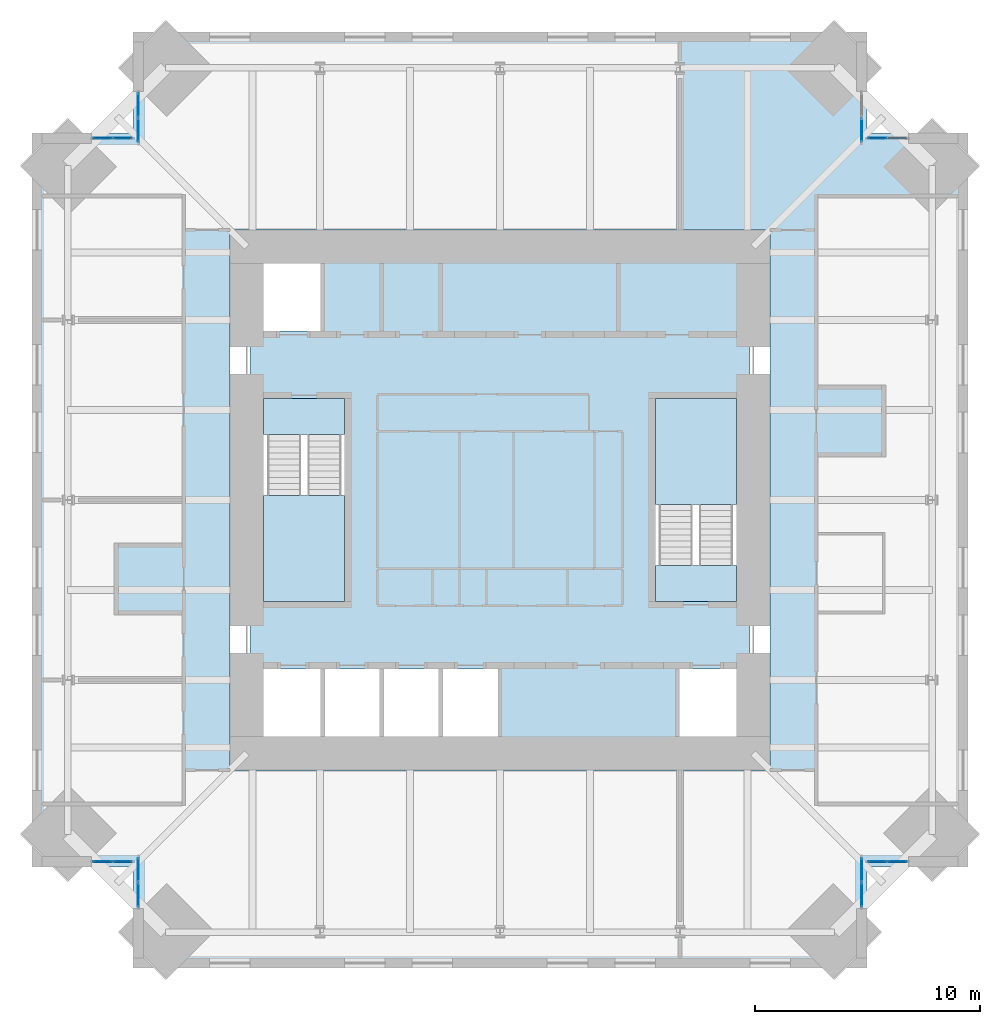
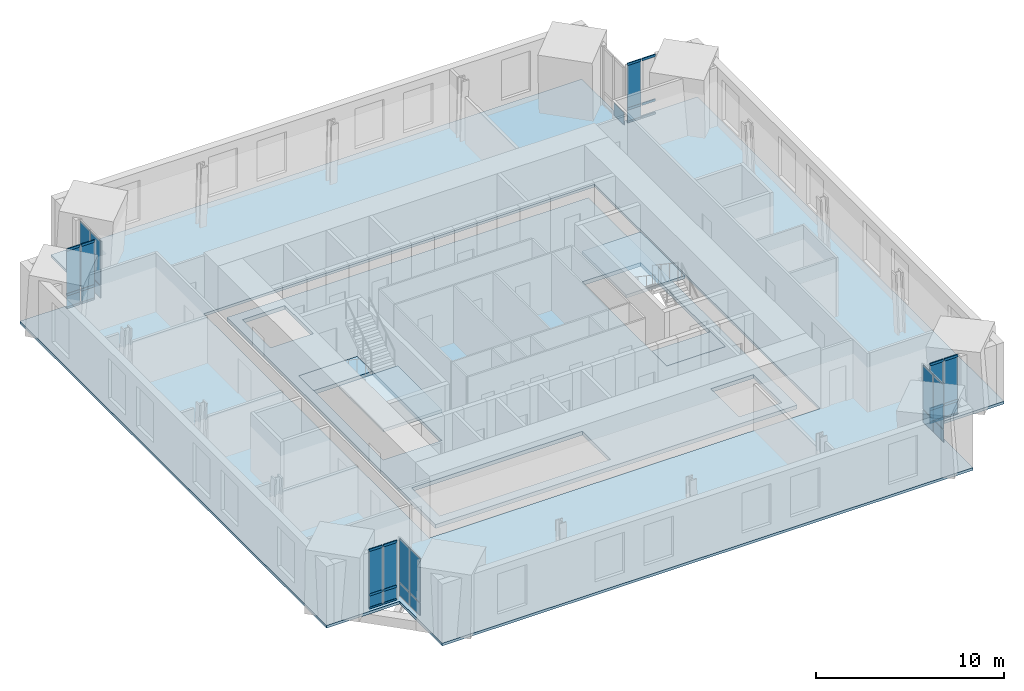
# One storey, part 9 of 15: 27 plates, 24 members, 6 slabs, 10 elements without a shape of their own.
"""IFC4 building model written with IfcOpenShell, lengths in metres."""

from ifc_helpers import new_model, si_unit, direction, frame, origin, origin_2d, place, context, subcontext, project, spatial, polyline, rectangle, hollow_rectangle, outline, extrude, material, layer, layer_set, material_profile, profile_set, type_object, element, aggregate, save


model = new_model("IFC4")

# Units and contexts
model_context = context("Model", 3, precision=1e-05, world=origin(), true_north=direction((0.0, 1.0)))
body_context = subcontext(model_context, "Body", "Model", "MODEL_VIEW")
ifc_project = project(units=[si_unit("LENGTHUNIT", "METRE"), si_unit("AREAUNIT", "SQUARE_METRE"), si_unit("VOLUMEUNIT", "CUBIC_METRE"), si_unit("PLANEANGLEUNIT", "RADIAN"), si_unit("MASSUNIT", "GRAM", prefix="KILO")], contexts=[model_context])

# Site, building, storey
site_placement = place(None, origin())
site = spatial("IfcSite", under=ifc_project, at=site_placement, CompositionType="ELEMENT")
building_placement = place(site_placement, origin())
building = spatial("IfcBuilding", under=site, at=building_placement, Name="Peilmerk Tower", CompositionType="ELEMENT")
storey_placement = place(building_placement, frame((0.0, 0.0, 289.800048828125)))
storey = spatial("IfcBuildingStorey", under=building, at=storey_placement, Name="L65", CompositionType="ELEMENT", Elevation=289.800048828125)

# Curtain wall, members
ifc_material_1 = material(Name="Aluminium stick curtain wall", Category="aluminium")
curtain_wall_type = type_object("IfcCurtainWallType", Name="CW4 stick curtain wall, 2250 module", PredefinedType="NOTDEFINED", material=ifc_material_1)
curtain_wall_1_placement = place(storey_placement, origin())
curtain_wall_1 = element("IfcCurtainWall", 1, at=curtain_wall_1_placement, inside=storey, type_object=curtain_wall_type, Name="Curtain wall CW4 NEB L65", PredefinedType="NOTDEFINED")
ifc_material_2 = material(Name="Aluminium EN AW-6063 T6", Category="aluminium")
ifc_material_profile = material_profile(ifc_material_2, hollow_rectangle(XDim=0.06494140625, YDim=0.14990234375, WallThickness=0.0029296875, at=origin_2d()), Name="AL 150x65x3")
ifc_profile_set = profile_set([ifc_material_profile], Name="Aluminium EN AW-6063 T6")
member_type = type_object("IfcMemberType", Name="CW4-T AL 150x65x3 transom", PredefinedType="USERDEFINED", material=ifc_profile_set)
member_1_placement = place(storey_placement, frame((16.364990234375, 16.074951171875, 0.032470703125), z_axis=(1.0, 0.0, 0.0), x_axis=(0.0, 1.0, 0.0)))
member_1 = element("IfcMember", 2, at=member_1_placement, type_object=member_type, Name="CW4 transom 1.1", ObjectType="TRANSOM", PredefinedType="USERDEFINED", context=body_context, shape_type="SweptSolid", body=[
    extrude(hollow_rectangle(XDim=0.06494140625, YDim=0.14990234375, WallThickness=0.0029296875, at=origin_2d()), origin(), (0.0, 0.0, 1.0), 0.82177734375),
])
member_2_placement = place(storey_placement, frame((16.364990234375, 16.074951171875, 0.89990234375), z_axis=(1.0, 0.0, 0.0), x_axis=(0.0, 1.0, 0.0)))
member_2 = element("IfcMember", 3, at=member_2_placement, type_object=member_type, Name="CW4 transom 1.2", ObjectType="TRANSOM", PredefinedType="USERDEFINED", context=body_context, shape_type="SweptSolid", body=[
    extrude(hollow_rectangle(XDim=0.06494140625, YDim=0.14990234375, WallThickness=0.0029296875, at=origin_2d()), origin(), (0.0, 0.0, 1.0), 0.82177734375),
])
member_3_placement = place(storey_placement, frame((16.364990234375, 16.074951171875, 3.79736328125), z_axis=(1.0, 0.0, 0.0), x_axis=(0.0, 1.0, 0.0)))
member_3 = element("IfcMember", 4, at=member_3_placement, type_object=member_type, Name="CW4 transom 1.3", ObjectType="TRANSOM", PredefinedType="USERDEFINED", context=body_context, shape_type="SweptSolid", body=[
    extrude(hollow_rectangle(XDim=0.06494140625, YDim=0.14990234375, WallThickness=0.0029296875, at=origin_2d()), origin(), (0.0, 0.0, 1.0), 0.82177734375),
])
member_4_placement = place(storey_placement, frame((17.251953125, 16.074951171875, 0.032470703125), z_axis=(1.0, 0.0, 0.0), x_axis=(0.0, 1.0, 0.0)))
member_4 = element("IfcMember", 5, at=member_4_placement, type_object=member_type, Name="CW4 transom 2.1", ObjectType="TRANSOM", PredefinedType="USERDEFINED", context=body_context, shape_type="SweptSolid", body=[
    extrude(hollow_rectangle(XDim=0.06494140625, YDim=0.14990234375, WallThickness=0.0029296875, at=origin_2d()), origin(), (0.0, 0.0, 1.0), 0.82177734375),
])
member_5_placement = place(storey_placement, frame((17.251953125, 16.074951171875, 0.89990234375), z_axis=(1.0, 0.0, 0.0), x_axis=(0.0, 1.0, 0.0)))
member_5 = element("IfcMember", 6, at=member_5_placement, type_object=member_type, Name="CW4 transom 2.2", ObjectType="TRANSOM", PredefinedType="USERDEFINED", context=body_context, shape_type="SweptSolid", body=[
    extrude(hollow_rectangle(XDim=0.06494140625, YDim=0.14990234375, WallThickness=0.0029296875, at=origin_2d()), origin(), (0.0, 0.0, 1.0), 0.82177734375),
])
member_6_placement = place(storey_placement, frame((17.251953125, 16.074951171875, 3.79736328125), z_axis=(1.0, 0.0, 0.0), x_axis=(0.0, 1.0, 0.0)))
member_6 = element("IfcMember", 7, at=member_6_placement, type_object=member_type, Name="CW4 transom 2.3", ObjectType="TRANSOM", PredefinedType="USERDEFINED", context=body_context, shape_type="SweptSolid", body=[
    extrude(hollow_rectangle(XDim=0.06494140625, YDim=0.14990234375, WallThickness=0.0029296875, at=origin_2d()), origin(), (0.0, 0.0, 1.0), 0.82177734375),
])

curtain_wall_2_placement = place(storey_placement, origin())
curtain_wall_2 = element("IfcCurtainWall", 8, at=curtain_wall_2_placement, inside=storey, type_object=curtain_wall_type, Name="Curtain wall CW4 SEB L65", PredefinedType="NOTDEFINED")
member_7_placement = place(storey_placement, frame((16.364990234375, -16.074951171875, 0.032470703125), z_axis=(1.0, 0.0, 0.0), x_axis=(0.0, 1.0, 0.0)))
member_7 = element("IfcMember", 9, at=member_7_placement, type_object=member_type, Name="CW4 transom 1.1", ObjectType="TRANSOM", PredefinedType="USERDEFINED", context=body_context, shape_type="SweptSolid", body=[
    extrude(hollow_rectangle(XDim=0.06494140625, YDim=0.14990234375, WallThickness=0.0029296875, at=origin_2d()), origin(), (0.0, 0.0, 1.0), 0.82177734375),
])
member_8_placement = place(storey_placement, frame((16.364990234375, -16.074951171875, 0.89990234375), z_axis=(1.0, 0.0, 0.0), x_axis=(0.0, 1.0, 0.0)))
member_8 = element("IfcMember", 10, at=member_8_placement, type_object=member_type, Name="CW4 transom 1.2", ObjectType="TRANSOM", PredefinedType="USERDEFINED", context=body_context, shape_type="SweptSolid", body=[
    extrude(hollow_rectangle(XDim=0.06494140625, YDim=0.14990234375, WallThickness=0.0029296875, at=origin_2d()), origin(), (0.0, 0.0, 1.0), 0.82177734375),
])
member_9_placement = place(storey_placement, frame((16.364990234375, -16.074951171875, 3.79736328125), z_axis=(1.0, 0.0, 0.0), x_axis=(0.0, 1.0, 0.0)))
member_9 = element("IfcMember", 11, at=member_9_placement, type_object=member_type, Name="CW4 transom 1.3", ObjectType="TRANSOM", PredefinedType="USERDEFINED", context=body_context, shape_type="SweptSolid", body=[
    extrude(hollow_rectangle(XDim=0.06494140625, YDim=0.14990234375, WallThickness=0.0029296875, at=origin_2d()), origin(), (0.0, 0.0, 1.0), 0.82177734375),
])
member_10_placement = place(storey_placement, frame((17.251953125, -16.074951171875, 0.032470703125), z_axis=(1.0, 0.0, 0.0), x_axis=(0.0, 1.0, 0.0)))
member_10 = element("IfcMember", 12, at=member_10_placement, type_object=member_type, Name="CW4 transom 2.1", ObjectType="TRANSOM", PredefinedType="USERDEFINED", context=body_context, shape_type="SweptSolid", body=[
    extrude(hollow_rectangle(XDim=0.06494140625, YDim=0.14990234375, WallThickness=0.0029296875, at=origin_2d()), origin(), (0.0, 0.0, 1.0), 0.82177734375),
])
member_11_placement = place(storey_placement, frame((17.251953125, -16.074951171875, 0.89990234375), z_axis=(1.0, 0.0, 0.0), x_axis=(0.0, 1.0, 0.0)))
member_11 = element("IfcMember", 13, at=member_11_placement, type_object=member_type, Name="CW4 transom 2.2", ObjectType="TRANSOM", PredefinedType="USERDEFINED", context=body_context, shape_type="SweptSolid", body=[
    extrude(hollow_rectangle(XDim=0.06494140625, YDim=0.14990234375, WallThickness=0.0029296875, at=origin_2d()), origin(), (0.0, 0.0, 1.0), 0.82177734375),
])
member_12_placement = place(storey_placement, frame((17.251953125, -16.074951171875, 3.79736328125), z_axis=(1.0, 0.0, 0.0), x_axis=(0.0, 1.0, 0.0)))
member_12 = element("IfcMember", 14, at=member_12_placement, type_object=member_type, Name="CW4 transom 2.3", ObjectType="TRANSOM", PredefinedType="USERDEFINED", context=body_context, shape_type="SweptSolid", body=[
    extrude(hollow_rectangle(XDim=0.06494140625, YDim=0.14990234375, WallThickness=0.0029296875, at=origin_2d()), origin(), (0.0, 0.0, 1.0), 0.82177734375),
])

curtain_wall_3_placement = place(storey_placement, origin())
curtain_wall_3 = element("IfcCurtainWall", 15, at=curtain_wall_3_placement, inside=storey, type_object=curtain_wall_type, Name="Curtain wall CW4 SWB L65", PredefinedType="NOTDEFINED")
member_13_placement = place(storey_placement, frame((-16.364990234375, -16.074951171875, 0.032470703125), z_axis=(-1.0, 0.0, 0.0), x_axis=(0.0, -1.0, 0.0)))
member_13 = element("IfcMember", 16, at=member_13_placement, type_object=member_type, Name="CW4 transom 1.1", ObjectType="TRANSOM", PredefinedType="USERDEFINED", context=body_context, shape_type="SweptSolid", body=[
    extrude(hollow_rectangle(XDim=0.06494140625, YDim=0.14990234375, WallThickness=0.0029296875, at=origin_2d()), origin(), (0.0, 0.0, 1.0), 0.82177734375),
])
member_14_placement = place(storey_placement, frame((-16.364990234375, -16.074951171875, 0.89990234375), z_axis=(-1.0, 0.0, 0.0), x_axis=(0.0, -1.0, 0.0)))
member_14 = element("IfcMember", 17, at=member_14_placement, type_object=member_type, Name="CW4 transom 1.2", ObjectType="TRANSOM", PredefinedType="USERDEFINED", context=body_context, shape_type="SweptSolid", body=[
    extrude(hollow_rectangle(XDim=0.06494140625, YDim=0.14990234375, WallThickness=0.0029296875, at=origin_2d()), origin(), (0.0, 0.0, 1.0), 0.82177734375),
])
member_15_placement = place(storey_placement, frame((-16.364990234375, -16.074951171875, 3.79736328125), z_axis=(-1.0, 0.0, 0.0), x_axis=(0.0, -1.0, 0.0)))
member_15 = element("IfcMember", 18, at=member_15_placement, type_object=member_type, Name="CW4 transom 1.3", ObjectType="TRANSOM", PredefinedType="USERDEFINED", context=body_context, shape_type="SweptSolid", body=[
    extrude(hollow_rectangle(XDim=0.06494140625, YDim=0.14990234375, WallThickness=0.0029296875, at=origin_2d()), origin(), (0.0, 0.0, 1.0), 0.82177734375),
])
member_16_placement = place(storey_placement, frame((-17.251953125, -16.074951171875, 0.032470703125), z_axis=(-1.0, 0.0, 0.0), x_axis=(0.0, -1.0, 0.0)))
member_16 = element("IfcMember", 19, at=member_16_placement, type_object=member_type, Name="CW4 transom 2.1", ObjectType="TRANSOM", PredefinedType="USERDEFINED", context=body_context, shape_type="SweptSolid", body=[
    extrude(hollow_rectangle(XDim=0.06494140625, YDim=0.14990234375, WallThickness=0.0029296875, at=origin_2d()), origin(), (0.0, 0.0, 1.0), 0.82177734375),
])
member_17_placement = place(storey_placement, frame((-17.251953125, -16.074951171875, 0.89990234375), z_axis=(-1.0, 0.0, 0.0), x_axis=(0.0, -1.0, 0.0)))
member_17 = element("IfcMember", 20, at=member_17_placement, type_object=member_type, Name="CW4 transom 2.2", ObjectType="TRANSOM", PredefinedType="USERDEFINED", context=body_context, shape_type="SweptSolid", body=[
    extrude(hollow_rectangle(XDim=0.06494140625, YDim=0.14990234375, WallThickness=0.0029296875, at=origin_2d()), origin(), (0.0, 0.0, 1.0), 0.82177734375),
])
member_18_placement = place(storey_placement, frame((-17.251953125, -16.074951171875, 3.79736328125), z_axis=(-1.0, 0.0, 0.0), x_axis=(0.0, -1.0, 0.0)))
member_18 = element("IfcMember", 21, at=member_18_placement, type_object=member_type, Name="CW4 transom 2.3", ObjectType="TRANSOM", PredefinedType="USERDEFINED", context=body_context, shape_type="SweptSolid", body=[
    extrude(hollow_rectangle(XDim=0.06494140625, YDim=0.14990234375, WallThickness=0.0029296875, at=origin_2d()), origin(), (0.0, 0.0, 1.0), 0.82177734375),
])

curtain_wall_4_placement = place(storey_placement, origin())
curtain_wall_4 = element("IfcCurtainWall", 22, at=curtain_wall_4_placement, inside=storey, type_object=curtain_wall_type, Name="Curtain wall CW4 NWB L65", PredefinedType="NOTDEFINED")
member_19_placement = place(storey_placement, frame((-16.364990234375, 16.074951171875, 0.032470703125), z_axis=(-1.0, 0.0, 0.0), x_axis=(0.0, -1.0, 0.0)))
member_19 = element("IfcMember", 23, at=member_19_placement, type_object=member_type, Name="CW4 transom 1.1", ObjectType="TRANSOM", PredefinedType="USERDEFINED", context=body_context, shape_type="SweptSolid", body=[
    extrude(hollow_rectangle(XDim=0.06494140625, YDim=0.14990234375, WallThickness=0.0029296875, at=origin_2d()), origin(), (0.0, 0.0, 1.0), 0.82177734375),
])
member_20_placement = place(storey_placement, frame((-16.364990234375, 16.074951171875, 0.89990234375), z_axis=(-1.0, 0.0, 0.0), x_axis=(0.0, -1.0, 0.0)))
member_20 = element("IfcMember", 24, at=member_20_placement, type_object=member_type, Name="CW4 transom 1.2", ObjectType="TRANSOM", PredefinedType="USERDEFINED", context=body_context, shape_type="SweptSolid", body=[
    extrude(hollow_rectangle(XDim=0.06494140625, YDim=0.14990234375, WallThickness=0.0029296875, at=origin_2d()), origin(), (0.0, 0.0, 1.0), 0.82177734375),
])
member_21_placement = place(storey_placement, frame((-16.364990234375, 16.074951171875, 3.79736328125), z_axis=(-1.0, 0.0, 0.0), x_axis=(0.0, -1.0, 0.0)))
member_21 = element("IfcMember", 25, at=member_21_placement, type_object=member_type, Name="CW4 transom 1.3", ObjectType="TRANSOM", PredefinedType="USERDEFINED", context=body_context, shape_type="SweptSolid", body=[
    extrude(hollow_rectangle(XDim=0.06494140625, YDim=0.14990234375, WallThickness=0.0029296875, at=origin_2d()), origin(), (0.0, 0.0, 1.0), 0.82177734375),
])
member_22_placement = place(storey_placement, frame((-17.251953125, 16.074951171875, 0.032470703125), z_axis=(-1.0, 0.0, 0.0), x_axis=(0.0, -1.0, 0.0)))
member_22 = element("IfcMember", 26, at=member_22_placement, type_object=member_type, Name="CW4 transom 2.1", ObjectType="TRANSOM", PredefinedType="USERDEFINED", context=body_context, shape_type="SweptSolid", body=[
    extrude(hollow_rectangle(XDim=0.06494140625, YDim=0.14990234375, WallThickness=0.0029296875, at=origin_2d()), origin(), (0.0, 0.0, 1.0), 0.82177734375),
])
member_23_placement = place(storey_placement, frame((-17.251953125, 16.074951171875, 0.89990234375), z_axis=(-1.0, 0.0, 0.0), x_axis=(0.0, -1.0, 0.0)))
member_23 = element("IfcMember", 27, at=member_23_placement, type_object=member_type, Name="CW4 transom 2.2", ObjectType="TRANSOM", PredefinedType="USERDEFINED", context=body_context, shape_type="SweptSolid", body=[
    extrude(hollow_rectangle(XDim=0.06494140625, YDim=0.14990234375, WallThickness=0.0029296875, at=origin_2d()), origin(), (0.0, 0.0, 1.0), 0.82177734375),
])
member_24_placement = place(storey_placement, frame((-17.251953125, 16.074951171875, 3.79736328125), z_axis=(-1.0, 0.0, 0.0), x_axis=(0.0, -1.0, 0.0)))
member_24 = element("IfcMember", 28, at=member_24_placement, type_object=member_type, Name="CW4 transom 2.3", ObjectType="TRANSOM", PredefinedType="USERDEFINED", context=body_context, shape_type="SweptSolid", body=[
    extrude(hollow_rectangle(XDim=0.06494140625, YDim=0.14990234375, WallThickness=0.0029296875, at=origin_2d()), origin(), (0.0, 0.0, 1.0), 0.82177734375),
])

# Slab
ifc_material_3 = material(Name="Concrete C55/67", Category="concrete")
ifc_layer_1 = layer(ifc_material_3, 0.25)
ifc_layer_set_1 = layer_set([ifc_layer_1], Name="Concrete C55/67")
slab_type_1 = type_object("IfcSlabType", Name="CS250 250 core floor slab", PredefinedType="FLOOR", material=ifc_layer_set_1)
slab_1_placement = place(storey_placement, frame((0.0, 0.0, -0.25)))
element("IfcSlab", 29, at=slab_1_placement, inside=storey, type_object=slab_type_1, Name="Core slab L65", PredefinedType="FLOOR", context=body_context, shape_type="SweptSolid", body=[
    extrude(outline(polyline([(11.10009765625, -11.10009765625), (11.10009765625, 11.10009765625), (-11.10009765625, 11.10009765625), (-11.10009765625, -11.10009765625), (11.10009765625, -11.10009765625)]), holes=[polyline([(-7.875, 7.5), (-10.5, 7.5), (-10.5, 10.5), (-7.875, 10.5), (-7.875, 7.5)]), polyline([(0.0, -10.5), (-10.5, -10.5), (-10.5, -7.5), (0.0, -7.5), (0.0, -10.5)]), polyline([(7.875, -10.5), (7.875, -7.5), (10.5, -7.5), (10.5, -10.5), (7.875, -10.5)]), polyline([(-10.5, 4.5), (-6.89990234375, 4.5), (-6.89990234375, -4.5), (-10.5, -4.5), (-10.5, 4.5)]), polyline([(10.5, 4.5), (10.5, -4.5), (6.89990234375, -4.5), (6.89990234375, 4.5), (10.5, 4.5)])]), origin(), (0.0, 0.0, 1.0), 0.25),
])

# Curtain wall, plate
curtain_wall_5_placement = place(storey_placement, origin())
curtain_wall_5 = element("IfcCurtainWall", 30, at=curtain_wall_5_placement, inside=storey, type_object=curtain_wall_type, Name="Curtain wall CW4 NEA L65", PredefinedType="NOTDEFINED")
ifc_material_4 = material(Name="Clear insulated glazing unit", Category="glass")
ifc_layer_2 = layer(ifc_material_4, 0.028076171875)
ifc_layer_set_2 = layer_set([ifc_layer_2], Name="Clear insulated glazing unit")
plate_type = type_object("IfcPlateType", Name="CW4-P 28 glazed panel", PredefinedType="CURTAIN_PANEL", material=ifc_layer_set_2)
plate_1_placement = place(storey_placement, frame((16.074951171875, 16.4384765625, 0.06494140625), z_axis=(0.0, 0.0, 1.0), x_axis=(0.0, 1.0, 0.0)))
plate_1 = element("IfcPlate", 31, at=plate_1_placement, type_object=plate_type, Name="CW4 panel 1.1", PredefinedType="CURTAIN_PANEL", context=body_context, shape_type="SweptSolid", body=[
    extrude(rectangle(XDim=1.046875, YDim=0.028076171875, at=origin_2d()), origin(), (0.0, 0.0, 1.0), 0.802490234375),
])
aggregate(curtain_wall_5, [plate_1])

# Plate
plate_2_placement = place(storey_placement, frame((16.77587890625, 16.074951171875, 0.06494140625), z_axis=(0.0, 0.0, 1.0), x_axis=(1.0, 0.0, 0.0)))
plate_2 = element("IfcPlate", 32, at=plate_2_placement, type_object=plate_type, Name="CW4 panel 1.1", PredefinedType="CURTAIN_PANEL", context=body_context, shape_type="SweptSolid", body=[
    extrude(rectangle(XDim=0.82177734375, YDim=0.028076171875, at=origin_2d()), origin(), (0.0, 0.0, 1.0), 0.802490234375),
])

plate_3_placement = place(storey_placement, frame((16.77587890625, 16.074951171875, 0.932373046875), z_axis=(0.0, 0.0, 1.0), x_axis=(1.0, 0.0, 0.0)))
plate_3 = element("IfcPlate", 33, at=plate_3_placement, type_object=plate_type, Name="CW4 panel 1.2", PredefinedType="CURTAIN_PANEL", context=body_context, shape_type="SweptSolid", body=[
    extrude(rectangle(XDim=0.82177734375, YDim=0.028076171875, at=origin_2d()), origin(), (0.0, 0.0, 1.0), 2.83251953125),
])

aggregate(curtain_wall_1, [member_1, member_2, member_3, plate_2, plate_3, member_4, member_5, member_6])

# Curtain wall, plates
curtain_wall_6_placement = place(storey_placement, origin())
curtain_wall_6 = element("IfcCurtainWall", 34, at=curtain_wall_6_placement, inside=storey, type_object=curtain_wall_type, Name="Curtain wall CW4 SEA L65", PredefinedType="NOTDEFINED")
plate_4_placement = place(storey_placement, frame((16.074951171875, -16.4384765625, 0.06494140625), z_axis=(0.0, 0.0, 1.0), x_axis=(0.0, -1.0, 0.0)))
plate_4 = element("IfcPlate", 35, at=plate_4_placement, type_object=plate_type, Name="CW4 panel 1.1", PredefinedType="CURTAIN_PANEL", context=body_context, shape_type="SweptSolid", body=[
    extrude(rectangle(XDim=1.046875, YDim=0.028076171875, at=origin_2d()), origin(), (0.0, 0.0, 1.0), 0.802490234375),
])
plate_5_placement = place(storey_placement, frame((16.074951171875, -16.4384765625, 0.932373046875), z_axis=(0.0, 0.0, 1.0), x_axis=(0.0, -1.0, 0.0)))
plate_5 = element("IfcPlate", 36, at=plate_5_placement, type_object=plate_type, Name="CW4 panel 1.2", PredefinedType="CURTAIN_PANEL", context=body_context, shape_type="SweptSolid", body=[
    extrude(rectangle(XDim=1.046875, YDim=0.028076171875, at=origin_2d()), origin(), (0.0, 0.0, 1.0), 2.83251953125),
])
plate_6_placement = place(storey_placement, frame((16.074951171875, -17.55029296875, 0.06494140625), z_axis=(0.0, 0.0, 1.0), x_axis=(0.0, -1.0, 0.0)))
plate_6 = element("IfcPlate", 37, at=plate_6_placement, type_object=plate_type, Name="CW4 panel 2.1", PredefinedType="CURTAIN_PANEL", context=body_context, shape_type="SweptSolid", body=[
    extrude(rectangle(XDim=1.046875, YDim=0.028076171875, at=origin_2d()), origin(), (0.0, 0.0, 1.0), 0.802490234375),
])
plate_7_placement = place(storey_placement, frame((16.074951171875, -17.55029296875, 0.932373046875), z_axis=(0.0, 0.0, 1.0), x_axis=(0.0, -1.0, 0.0)))
plate_7 = element("IfcPlate", 38, at=plate_7_placement, type_object=plate_type, Name="CW4 panel 2.2", PredefinedType="CURTAIN_PANEL", context=body_context, shape_type="SweptSolid", body=[
    extrude(rectangle(XDim=1.046875, YDim=0.028076171875, at=origin_2d()), origin(), (0.0, 0.0, 1.0), 2.83251953125),
])
aggregate(curtain_wall_6, [plate_4, plate_5, plate_6, plate_7])

# Plate
plate_8_placement = place(storey_placement, frame((16.77587890625, -16.074951171875, 0.06494140625), z_axis=(0.0, 0.0, 1.0), x_axis=(1.0, 0.0, 0.0)))
plate_8 = element("IfcPlate", 39, at=plate_8_placement, type_object=plate_type, Name="CW4 panel 1.1", PredefinedType="CURTAIN_PANEL", context=body_context, shape_type="SweptSolid", body=[
    extrude(rectangle(XDim=0.82177734375, YDim=0.028076171875, at=origin_2d()), origin(), (0.0, 0.0, 1.0), 0.802490234375),
])

plate_9_placement = place(storey_placement, frame((16.77587890625, -16.074951171875, 0.932373046875), z_axis=(0.0, 0.0, 1.0), x_axis=(1.0, 0.0, 0.0)))
plate_9 = element("IfcPlate", 40, at=plate_9_placement, type_object=plate_type, Name="CW4 panel 1.2", PredefinedType="CURTAIN_PANEL", context=body_context, shape_type="SweptSolid", body=[
    extrude(rectangle(XDim=0.82177734375, YDim=0.028076171875, at=origin_2d()), origin(), (0.0, 0.0, 1.0), 2.83251953125),
])

plate_10_placement = place(storey_placement, frame((17.662841796875, -16.074951171875, 0.06494140625), z_axis=(0.0, 0.0, 1.0), x_axis=(1.0, 0.0, 0.0)))
plate_10 = element("IfcPlate", 41, at=plate_10_placement, type_object=plate_type, Name="CW4 panel 2.1", PredefinedType="CURTAIN_PANEL", context=body_context, shape_type="SweptSolid", body=[
    extrude(rectangle(XDim=0.82177734375, YDim=0.028076171875, at=origin_2d()), origin(), (0.0, 0.0, 1.0), 0.802490234375),
])

plate_11_placement = place(storey_placement, frame((17.662841796875, -16.074951171875, 0.932373046875), z_axis=(0.0, 0.0, 1.0), x_axis=(1.0, 0.0, 0.0)))
plate_11 = element("IfcPlate", 42, at=plate_11_placement, type_object=plate_type, Name="CW4 panel 2.2", PredefinedType="CURTAIN_PANEL", context=body_context, shape_type="SweptSolid", body=[
    extrude(rectangle(XDim=0.82177734375, YDim=0.028076171875, at=origin_2d()), origin(), (0.0, 0.0, 1.0), 2.83251953125),
])

aggregate(curtain_wall_2, [member_7, member_8, member_9, plate_8, plate_9, member_10, member_11, member_12, plate_10, plate_11])

# Curtain wall, plates
curtain_wall_7_placement = place(storey_placement, origin())
curtain_wall_7 = element("IfcCurtainWall", 43, at=curtain_wall_7_placement, inside=storey, type_object=curtain_wall_type, Name="Curtain wall CW4 SWA L65", PredefinedType="NOTDEFINED")
plate_12_placement = place(storey_placement, frame((-16.074951171875, -16.4384765625, 0.06494140625), z_axis=(0.0, 0.0, 1.0), x_axis=(0.0, -1.0, 0.0)))
plate_12 = element("IfcPlate", 44, at=plate_12_placement, type_object=plate_type, Name="CW4 panel 1.1", PredefinedType="CURTAIN_PANEL", context=body_context, shape_type="SweptSolid", body=[
    extrude(rectangle(XDim=1.046875, YDim=0.028076171875, at=origin_2d()), origin(), (0.0, 0.0, 1.0), 0.802490234375),
])
plate_13_placement = place(storey_placement, frame((-16.074951171875, -16.4384765625, 0.932373046875), z_axis=(0.0, 0.0, 1.0), x_axis=(0.0, -1.0, 0.0)))
plate_13 = element("IfcPlate", 45, at=plate_13_placement, type_object=plate_type, Name="CW4 panel 1.2", PredefinedType="CURTAIN_PANEL", context=body_context, shape_type="SweptSolid", body=[
    extrude(rectangle(XDim=1.046875, YDim=0.028076171875, at=origin_2d()), origin(), (0.0, 0.0, 1.0), 2.83251953125),
])
plate_14_placement = place(storey_placement, frame((-16.074951171875, -17.55029296875, 0.06494140625), z_axis=(0.0, 0.0, 1.0), x_axis=(0.0, -1.0, 0.0)))
plate_14 = element("IfcPlate", 46, at=plate_14_placement, type_object=plate_type, Name="CW4 panel 2.1", PredefinedType="CURTAIN_PANEL", context=body_context, shape_type="SweptSolid", body=[
    extrude(rectangle(XDim=1.046875, YDim=0.028076171875, at=origin_2d()), origin(), (0.0, 0.0, 1.0), 0.802490234375),
])
plate_15_placement = place(storey_placement, frame((-16.074951171875, -17.55029296875, 0.932373046875), z_axis=(0.0, 0.0, 1.0), x_axis=(0.0, -1.0, 0.0)))
plate_15 = element("IfcPlate", 47, at=plate_15_placement, type_object=plate_type, Name="CW4 panel 2.2", PredefinedType="CURTAIN_PANEL", context=body_context, shape_type="SweptSolid", body=[
    extrude(rectangle(XDim=1.046875, YDim=0.028076171875, at=origin_2d()), origin(), (0.0, 0.0, 1.0), 2.83251953125),
])
aggregate(curtain_wall_7, [plate_12, plate_13, plate_14, plate_15])

# Plate
plate_16_placement = place(storey_placement, frame((-16.77587890625, -16.074951171875, 0.06494140625), z_axis=(0.0, 0.0, 1.0), x_axis=(-1.0, 0.0, 0.0)))
plate_16 = element("IfcPlate", 48, at=plate_16_placement, type_object=plate_type, Name="CW4 panel 1.1", PredefinedType="CURTAIN_PANEL", context=body_context, shape_type="SweptSolid", body=[
    extrude(rectangle(XDim=0.82177734375, YDim=0.028076171875, at=origin_2d()), origin(), (0.0, 0.0, 1.0), 0.802490234375),
])

plate_17_placement = place(storey_placement, frame((-16.77587890625, -16.074951171875, 0.932373046875), z_axis=(0.0, 0.0, 1.0), x_axis=(-1.0, 0.0, 0.0)))
plate_17 = element("IfcPlate", 49, at=plate_17_placement, type_object=plate_type, Name="CW4 panel 1.2", PredefinedType="CURTAIN_PANEL", context=body_context, shape_type="SweptSolid", body=[
    extrude(rectangle(XDim=0.82177734375, YDim=0.028076171875, at=origin_2d()), origin(), (0.0, 0.0, 1.0), 2.83251953125),
])

plate_18_placement = place(storey_placement, frame((-17.662841796875, -16.074951171875, 0.06494140625), z_axis=(0.0, 0.0, 1.0), x_axis=(-1.0, 0.0, 0.0)))
plate_18 = element("IfcPlate", 50, at=plate_18_placement, type_object=plate_type, Name="CW4 panel 2.1", PredefinedType="CURTAIN_PANEL", context=body_context, shape_type="SweptSolid", body=[
    extrude(rectangle(XDim=0.82177734375, YDim=0.028076171875, at=origin_2d()), origin(), (0.0, 0.0, 1.0), 0.802490234375),
])

plate_19_placement = place(storey_placement, frame((-17.662841796875, -16.074951171875, 0.932373046875), z_axis=(0.0, 0.0, 1.0), x_axis=(-1.0, 0.0, 0.0)))
plate_19 = element("IfcPlate", 51, at=plate_19_placement, type_object=plate_type, Name="CW4 panel 2.2", PredefinedType="CURTAIN_PANEL", context=body_context, shape_type="SweptSolid", body=[
    extrude(rectangle(XDim=0.82177734375, YDim=0.028076171875, at=origin_2d()), origin(), (0.0, 0.0, 1.0), 2.83251953125),
])

aggregate(curtain_wall_3, [member_13, member_14, member_15, plate_16, plate_17, member_16, member_17, member_18, plate_18, plate_19])

# Curtain wall, plates
curtain_wall_8_placement = place(storey_placement, origin())
curtain_wall_8 = element("IfcCurtainWall", 52, at=curtain_wall_8_placement, inside=storey, type_object=curtain_wall_type, Name="Curtain wall CW4 NWA L65", PredefinedType="NOTDEFINED")
plate_20_placement = place(storey_placement, frame((-16.074951171875, 16.4384765625, 0.06494140625), z_axis=(0.0, 0.0, 1.0), x_axis=(0.0, 1.0, 0.0)))
plate_20 = element("IfcPlate", 53, at=plate_20_placement, type_object=plate_type, Name="CW4 panel 1.1", PredefinedType="CURTAIN_PANEL", context=body_context, shape_type="SweptSolid", body=[
    extrude(rectangle(XDim=1.046875, YDim=0.028076171875, at=origin_2d()), origin(), (0.0, 0.0, 1.0), 0.802490234375),
])
plate_21_placement = place(storey_placement, frame((-16.074951171875, 16.4384765625, 0.932373046875), z_axis=(0.0, 0.0, 1.0), x_axis=(0.0, 1.0, 0.0)))
plate_21 = element("IfcPlate", 54, at=plate_21_placement, type_object=plate_type, Name="CW4 panel 1.2", PredefinedType="CURTAIN_PANEL", context=body_context, shape_type="SweptSolid", body=[
    extrude(rectangle(XDim=1.046875, YDim=0.028076171875, at=origin_2d()), origin(), (0.0, 0.0, 1.0), 2.83251953125),
])
plate_22_placement = place(storey_placement, frame((-16.074951171875, 17.55029296875, 0.06494140625), z_axis=(0.0, 0.0, 1.0), x_axis=(0.0, 1.0, 0.0)))
plate_22 = element("IfcPlate", 55, at=plate_22_placement, type_object=plate_type, Name="CW4 panel 2.1", PredefinedType="CURTAIN_PANEL", context=body_context, shape_type="SweptSolid", body=[
    extrude(rectangle(XDim=1.046875, YDim=0.028076171875, at=origin_2d()), origin(), (0.0, 0.0, 1.0), 0.802490234375),
])
plate_23_placement = place(storey_placement, frame((-16.074951171875, 17.55029296875, 0.932373046875), z_axis=(0.0, 0.0, 1.0), x_axis=(0.0, 1.0, 0.0)))
plate_23 = element("IfcPlate", 56, at=plate_23_placement, type_object=plate_type, Name="CW4 panel 2.2", PredefinedType="CURTAIN_PANEL", context=body_context, shape_type="SweptSolid", body=[
    extrude(rectangle(XDim=1.046875, YDim=0.028076171875, at=origin_2d()), origin(), (0.0, 0.0, 1.0), 2.83251953125),
])
aggregate(curtain_wall_8, [plate_20, plate_21, plate_22, plate_23])

# Plate
plate_24_placement = place(storey_placement, frame((-16.77587890625, 16.074951171875, 0.06494140625), z_axis=(0.0, 0.0, 1.0), x_axis=(-1.0, 0.0, 0.0)))
plate_24 = element("IfcPlate", 57, at=plate_24_placement, type_object=plate_type, Name="CW4 panel 1.1", PredefinedType="CURTAIN_PANEL", context=body_context, shape_type="SweptSolid", body=[
    extrude(rectangle(XDim=0.82177734375, YDim=0.028076171875, at=origin_2d()), origin(), (0.0, 0.0, 1.0), 0.802490234375),
])

plate_25_placement = place(storey_placement, frame((-16.77587890625, 16.074951171875, 0.932373046875), z_axis=(0.0, 0.0, 1.0), x_axis=(-1.0, 0.0, 0.0)))
plate_25 = element("IfcPlate", 58, at=plate_25_placement, type_object=plate_type, Name="CW4 panel 1.2", PredefinedType="CURTAIN_PANEL", context=body_context, shape_type="SweptSolid", body=[
    extrude(rectangle(XDim=0.82177734375, YDim=0.028076171875, at=origin_2d()), origin(), (0.0, 0.0, 1.0), 2.83251953125),
])

plate_26_placement = place(storey_placement, frame((-17.662841796875, 16.074951171875, 0.06494140625), z_axis=(0.0, 0.0, 1.0), x_axis=(-1.0, 0.0, 0.0)))
plate_26 = element("IfcPlate", 59, at=plate_26_placement, type_object=plate_type, Name="CW4 panel 2.1", PredefinedType="CURTAIN_PANEL", context=body_context, shape_type="SweptSolid", body=[
    extrude(rectangle(XDim=0.82177734375, YDim=0.028076171875, at=origin_2d()), origin(), (0.0, 0.0, 1.0), 0.802490234375),
])

plate_27_placement = place(storey_placement, frame((-17.662841796875, 16.074951171875, 0.932373046875), z_axis=(0.0, 0.0, 1.0), x_axis=(-1.0, 0.0, 0.0)))
plate_27 = element("IfcPlate", 60, at=plate_27_placement, type_object=plate_type, Name="CW4 panel 2.2", PredefinedType="CURTAIN_PANEL", context=body_context, shape_type="SweptSolid", body=[
    extrude(rectangle(XDim=0.82177734375, YDim=0.028076171875, at=origin_2d()), origin(), (0.0, 0.0, 1.0), 2.83251953125),
])

aggregate(curtain_wall_4, [member_19, member_20, member_21, plate_24, plate_25, member_22, member_23, member_24, plate_26, plate_27])

# Slab
ifc_material_5 = material(Name="Concrete C35/45", Category="concrete")
ifc_layer_3 = layer(ifc_material_5, 0.169921875)
ifc_layer_set_3 = layer_set([ifc_layer_3], Name="Concrete C35/45")
slab_type_2 = type_object("IfcSlabType", Name="FS170 170 composite floor slab", PredefinedType="FLOOR", material=ifc_layer_set_3)
slab_2_placement = place(storey_placement, frame((0.0, 0.0, -0.170166015625)))
element("IfcSlab", 61, at=slab_2_placement, inside=storey, type_object=slab_type_2, Name="Floor slab L65", PredefinedType="FLOOR", context=body_context, shape_type="SweptSolid", body=[
    extrude(outline(polyline([(-16.300048828125, -20.800048828125), (16.300048828125, -20.800048828125), (16.300048828125, -16.300048828125), (20.800048828125, -16.300048828125), (20.800048828125, 16.300048828125), (16.300048828125, 16.300048828125), (16.300048828125, 20.800048828125), (-16.300048828125, 20.800048828125), (-16.300048828125, 16.300048828125), (-20.800048828125, 16.300048828125), (-20.800048828125, -16.300048828125), (-16.300048828125, -16.300048828125), (-16.300048828125, -20.800048828125)]), holes=[polyline([(12.0, 12.0), (12.0, -12.0), (-12.0, -12.0), (-12.0, 12.0), (12.0, 12.0)])]), origin(), (0.0, 0.0, 1.0), 0.170166015625),
])

# Stair, slab
ifc_material_6 = material(Name="Precast concrete C45/55", Category="concrete")
stair_type_1 = type_object("IfcStairType", Name="ST1 22 risers of 181.8", PredefinedType="HALF_TURN_STAIR", material=ifc_material_6)
stair_1_placement = place(storey_placement, origin())
stair_1 = element("IfcStair", 62, at=stair_1_placement, inside=storey, type_object=stair_type_1, Name="Stair 1 L65 to L66", PredefinedType="HALF_TURN_STAIR")
ifc_layer_4 = layer(ifc_material_5, 0.199951171875)
ifc_layer_set_4 = layer_set([ifc_layer_4], Name="Concrete C35/45")
slab_type_3 = type_object("IfcSlabType", Name="SL1 200 concrete stair landing", PredefinedType="LANDING", material=ifc_layer_set_4)
slab_3_placement = place(storey_placement, frame((0.0, 0.0, 1.800048828125)))
slab_3 = element("IfcSlab", 63, at=slab_3_placement, type_object=slab_type_3, Name="ST1 landing 1", PredefinedType="LANDING", context=body_context, shape_type="SweptSolid", body=[
    extrude(outline(polyline([(-10.5, -4.5), (-6.89990234375, -4.5), (-6.89990234375, 0.199951171875), (-10.5, 0.199951171875), (-10.5, -4.5)])), origin(), (0.0, 0.0, 1.0), 0.199951171875),
])

stair_type_2 = type_object("IfcStairType", Name="ST2 22 risers of 181.8", PredefinedType="HALF_TURN_STAIR", material=ifc_material_6)
stair_2_placement = place(storey_placement, origin())
stair_2 = element("IfcStair", 64, at=stair_2_placement, inside=storey, type_object=stair_type_2, Name="Stair 2 L65 to L66", PredefinedType="HALF_TURN_STAIR")
slab_4_placement = place(storey_placement, frame((0.0, 0.0, 1.800048828125)))
slab_4 = element("IfcSlab", 65, at=slab_4_placement, type_object=slab_type_3, Name="ST2 landing 1", PredefinedType="LANDING", context=body_context, shape_type="SweptSolid", body=[
    extrude(outline(polyline([(6.89990234375, -0.199951171875), (10.5, -0.199951171875), (10.5, 4.5), (6.89990234375, 4.5), (6.89990234375, -0.199951171875)])), origin(), (0.0, 0.0, 1.0), 0.199951171875),
])

# Slab
ifc_layer_5 = layer(ifc_material_5, 0.25)
ifc_layer_set_5 = layer_set([ifc_layer_5], Name="Concrete C35/45")
slab_type_4 = type_object("IfcSlabType", Name="SL2 250 concrete floor landing", PredefinedType="LANDING", material=ifc_layer_set_5)
slab_5_placement = place(storey_placement, frame((0.0, 0.0, -0.25)))
slab_5 = element("IfcSlab", 66, at=slab_5_placement, type_object=slab_type_4, Name="ST1 floor landing", PredefinedType="LANDING", context=body_context, shape_type="SweptSolid", body=[
    extrude(outline(polyline([(-10.5, 2.89990234375), (-6.89990234375, 2.89990234375), (-6.89990234375, 4.5), (-10.5, 4.5), (-10.5, 2.89990234375)])), origin(), (0.0, 0.0, 1.0), 0.25),
])

aggregate(stair_1, [slab_3, slab_5])

slab_6_placement = place(storey_placement, frame((0.0, 0.0, -0.25)))
slab_6 = element("IfcSlab", 67, at=slab_6_placement, type_object=slab_type_4, Name="ST2 floor landing", PredefinedType="LANDING", context=body_context, shape_type="SweptSolid", body=[
    extrude(outline(polyline([(6.89990234375, -4.5), (10.5, -4.5), (10.5, -2.89990234375), (6.89990234375, -2.89990234375), (6.89990234375, -4.5)])), origin(), (0.0, 0.0, 1.0), 0.25),
])

aggregate(stair_2, [slab_4, slab_6])

save(model, "model.ifc")
